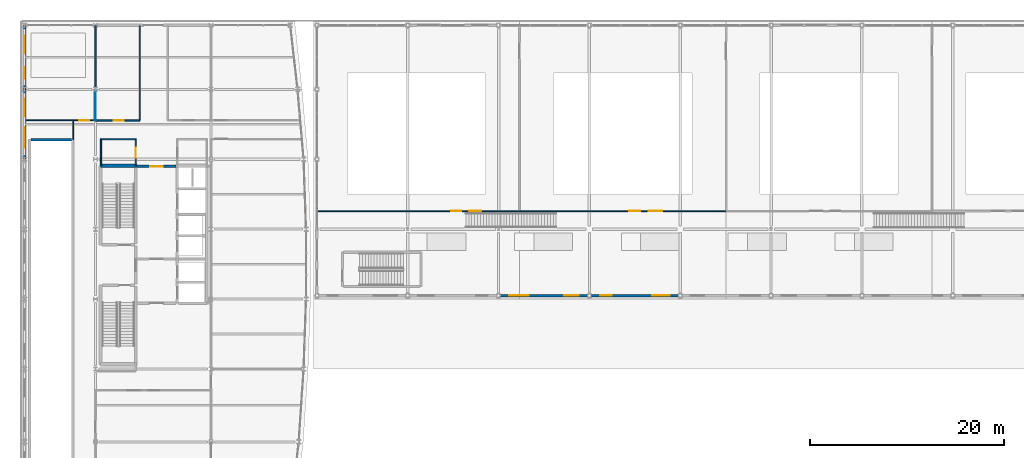
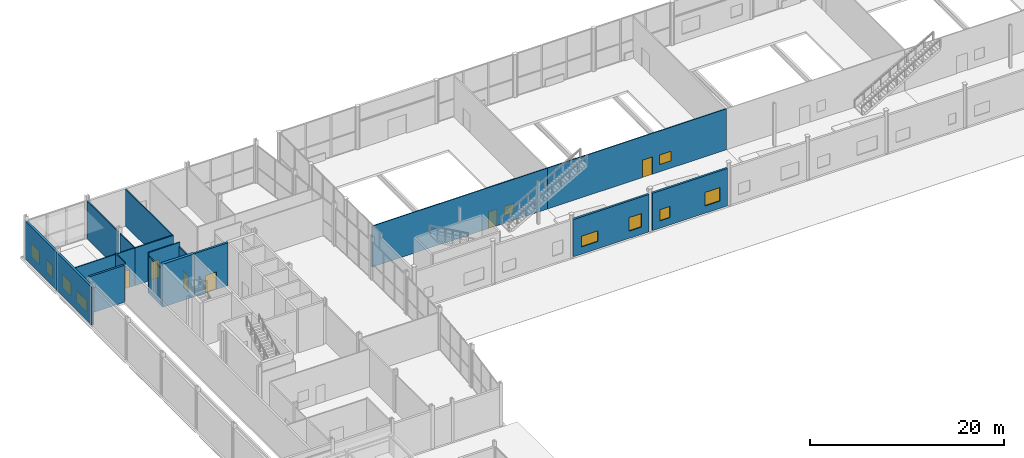
# One storey, part 67 of 83: 18 walls, 10 windows, 6 doors, 16 openings.
"""IFC4 building model written with IfcOpenShell, lengths in metres."""

from ifc_helpers import new_model, si_unit, direction, frame, frame_2d, origin, place, context, subcontext, project, spatial, rectangle, extrude, material, layer, layer_set, type_object, element, fill, save


model = new_model("IFC4")

# Units and contexts
model_context = context("Model", 3, precision=1e-05, world=origin(), true_north=direction((0.0, 1.0)))
body_context = subcontext(model_context, "Body", "Model", "MODEL_VIEW")
ifc_project = project(units=[si_unit("LENGTHUNIT", "METRE"), si_unit("AREAUNIT", "SQUARE_METRE"), si_unit("VOLUMEUNIT", "CUBIC_METRE"), si_unit("PLANEANGLEUNIT", "RADIAN"), si_unit("MASSUNIT", "GRAM", prefix="KILO")], contexts=[model_context])

# Site, building, storey
site_placement = place(None, origin())
site = spatial("IfcSite", under=ifc_project, at=site_placement, CompositionType="ELEMENT")
building_placement = place(site_placement, origin())
building = spatial("IfcBuilding", under=site, at=building_placement, Name="Quillay Park Conservatory", CompositionType="ELEMENT")
storey_placement = place(building_placement, origin())
storey = spatial("IfcBuildingStorey", under=building, at=storey_placement, Name="L00", CompositionType="ELEMENT", Elevation=0.0)

# Wall
ifc_material_1 = material(Name="Steel-Stud Acoustic Gypsum Board Partition", Category="steel")
ifc_layer_1 = layer(ifc_material_1, 0.10009765625)
ifc_layer_set_1 = layer_set([ifc_layer_1], Name="ACOUSTIC GYPSUM PARTITION 100 (Steel-Stud Acoustic Gypsum Board Partition)")
wall_type_1 = type_object("IfcWallType", Name="ACOUSTIC GYPSUM PARTITION 100", PredefinedType="PARTITIONING", material=ifc_layer_set_1)
wall_1_placement = place(storey_placement, frame((7.85009765625, 103.60009765625, 0.0), z_axis=(0.0, 0.0, 1.0), x_axis=(0.0, 1.0, 0.0)))
element("IfcWall", 1, at=wall_1_placement, inside=storey, type_object=wall_type_1, Name="L00 NW Lab East Wall S", PredefinedType="PARTITIONING", context=body_context, shape_type="SweptSolid", body=[
    extrude(rectangle(XDim=3.00830078125, YDim=0.10009765625, at=frame_2d((1.504150390625, 0.0))), origin(), (0.0, 0.0, 1.0), 4.72705078125),
])

# Wall, openings, window, door
ifc_material_2 = material(Name="Steel-Stud Acoustic Gypsum Board Partition", Category="steel")
ifc_layer_2 = layer(ifc_material_2, 0.10498046875)
ifc_layer_set_2 = layer_set([ifc_layer_2], Name="ACOUSTIC GYPSUM PARTITION 105 (Steel-Stud Acoustic Gypsum Board Partition)")
wall_type_2 = type_object("IfcWallType", Name="ACOUSTIC GYPSUM PARTITION 105", PredefinedType="PARTITIONING", material=ifc_layer_set_2)
wall_2_placement = place(storey_placement, frame((51.5, 94.260009765625, 0.0), z_axis=(0.0, 0.0, 1.0), x_axis=(1.0, 0.0, 0.0)))
wall_2 = element("IfcWall", 2, at=wall_2_placement, inside=storey, type_object=wall_type_2, Name="L00 Central Chilean Sclerophyll Conservatory Promenade Wall", PredefinedType="PARTITIONING", context=body_context, shape_type="SweptSolid", body=[
    extrude(rectangle(XDim=21.300048828125, YDim=0.10498046875, at=frame_2d((10.64990234375, 0.0))), origin(), (0.0, 0.0, 1.0), 5.14990234375),
])
opening_1_placement = place(wall_2_placement, frame((11.330078125, 0.0, 0.0)))
opening_1 = element("IfcOpeningElement", 3, at=opening_1_placement, cuts=wall_2, Name="Opening D-RM34", PredefinedType="OPENING", context=body_context, shape_type="SweptSolid", body=[
    extrude(rectangle(XDim=1.139892578125, YDim=2.179931640625, at=frame_2d((0.56982421875, 1.08984375))), frame((0.0, 0.052490234375, 0.0), z_axis=(0.0, -1.0, 0.0), x_axis=(1.0, 0.0, 0.0)), (0.0, 0.0, 1.0), 0.10498046875),
])
opening_2_placement = place(wall_2_placement, frame((13.320068359375, 0.0, 0.919921875)))
opening_2 = element("IfcOpeningElement", 4, at=opening_2_placement, cuts=wall_2, Name="Opening W-IN08", PredefinedType="OPENING", context=body_context, shape_type="SweptSolid", body=[
    extrude(rectangle(XDim=1.39990234375, YDim=1.199951171875, at=frame_2d((0.699951171875, 0.60009765625))), frame((0.0, 0.052490234375, 0.0), z_axis=(0.0, -1.0, 0.0), x_axis=(1.0, 0.0, 0.0)), (0.0, 0.0, 1.0), 0.10498046875),
])
ifc_material_3 = material(Name="Low-E Double Glazing (Laminated Tempered)", Category="glass")
window_type_1 = type_object("IfcWindowType", Name="OPERABLE VENT WINDOW 1400 X1200", PartitioningType="SINGLE_PANEL", PredefinedType="WINDOW", material=ifc_material_3)
window_1_placement = place(opening_2_placement, origin())
window_1 = element("IfcWindow", 5, at=window_1_placement, inside=storey, type_object=window_type_1, Name="L00 Laboratory Vision Panel 008", OverallHeight=1.199951171875, OverallWidth=1.39990234375, PartitioningType="SINGLE_PANEL", PredefinedType="WINDOW", context=body_context, shape_type="SweptSolid", body=[
    extrude(rectangle(XDim=1.39990234375, YDim=1.199951171875, at=frame_2d((0.699951171875, 0.60009765625))), frame((0.0, 0.030029296875, 0.0), z_axis=(0.0, -1.0, 0.0), x_axis=(1.0, 0.0, 0.0)), (0.0, 0.0, 1.0), 0.06005859375),
])
fill(opening_2, window_1)
ifc_material_4 = material(Name="Thermally Broken Anodised Aluminium 6063-T6", Category="aluminium")
door_type_1 = type_object("IfcDoorType", Name="SINGLE SWING DOOR 1140 X2180", OperationType="NOTDEFINED", PredefinedType="DOOR", material=ifc_material_4)
door_1_placement = place(opening_1_placement, origin())
door_1 = element("IfcDoor", 6, at=door_1_placement, inside=storey, type_object=door_type_1, Name="L00 Door to Central Chilean Sclerophyll Conservatory", OperationType="SINGLE_SWING_RIGHT", OverallHeight=2.179931640625, OverallWidth=1.139892578125, PredefinedType="DOOR", context=body_context, shape_type="SweptSolid", body=[
    extrude(rectangle(XDim=1.139892578125, YDim=2.179931640625, at=frame_2d((0.56982421875, 1.08984375))), frame((0.0, 0.02490234375, 0.0), z_axis=(0.0, -1.0, 0.0), x_axis=(1.0, 0.0, 0.0)), (0.0, 0.0, 1.0), 0.050048828125),
])
fill(opening_1, door_1)

# Wall
wall_3_placement = place(storey_placement, frame((5.550048828125, 101.60009765625, 0.0), z_axis=(0.0, 0.0, 1.0), x_axis=(0.0, 1.0, 0.0)))
element("IfcWall", 7, at=wall_3_placement, inside=storey, type_object=wall_type_2, Name="L00 Spine Ramp North Closure", PredefinedType="PARTITIONING", context=body_context, shape_type="SweptSolid", body=[
    extrude(rectangle(XDim=2.0, YDim=0.10498046875, at=frame_2d((1.0, 0.0))), origin(), (0.0, 0.0, 1.0), 4.876953125),
])

# Wall, opening, door
wall_4_placement = place(storey_placement, frame((0.64990234375, 103.60009765625, 0.0), z_axis=(0.0, 0.0, 1.0), x_axis=(1.0, 0.0, 0.0)))
wall_4 = element("IfcWall", 8, at=wall_4_placement, inside=storey, type_object=wall_type_2, Name="L00 NW Lab South Wall", PredefinedType="PARTITIONING", context=body_context, shape_type="SweptSolid", body=[
    extrude(rectangle(XDim=7.2001953125, YDim=0.10498046875, at=frame_2d((3.60009765625, 0.0))), origin(), (0.0, 0.0, 1.0), 4.72705078125),
])
opening_3_placement = place(wall_4_placement, frame((5.550048828125, 0.0, 0.0)))
opening_3 = element("IfcOpeningElement", 9, at=opening_3_placement, cuts=wall_4, Name="Opening D-RM19", PredefinedType="OPENING", context=body_context, shape_type="SweptSolid", body=[
    extrude(rectangle(XDim=1.0, YDim=2.25, at=frame_2d((0.5, 1.125))), frame((0.0, 0.052490234375, 0.0), z_axis=(0.0, -1.0, 0.0), x_axis=(1.0, 0.0, 0.0)), (0.0, 0.0, 1.0), 0.10498046875),
])
ifc_material_5 = material(Name="Thermally Broken Anodised Aluminium 6063-T6", Category="aluminium")
door_type_2 = type_object("IfcDoorType", Name="SINGLE SWING DOOR 1000 X2250", OperationType="NOTDEFINED", PredefinedType="DOOR", material=ifc_material_5)
door_2_placement = place(opening_3_placement, origin())
door_2 = element("IfcDoor", 10, at=door_2_placement, inside=storey, type_object=door_type_2, Name="L00 Door to L00 Cryogenic Vial Preparation Laboratory", OperationType="SINGLE_SWING_LEFT", OverallHeight=2.25, OverallWidth=1.0, PredefinedType="DOOR", context=body_context, shape_type="SweptSolid", body=[
    extrude(rectangle(XDim=1.0, YDim=2.25, at=frame_2d((0.5, 1.125))), frame((0.0, 0.02490234375, 0.0), z_axis=(0.0, -1.0, 0.0), x_axis=(1.0, 0.0, 0.0)), (0.0, 0.0, 1.0), 0.050048828125),
])
fill(opening_3, door_2)

# Wall, openings, window, door
ifc_material_6 = material(Name="Steel-Stud Acoustic Gypsum Board Partition", Category="steel")
ifc_layer_3 = layer(ifc_material_6, 0.110107421875)
ifc_layer_set_3 = layer_set([ifc_layer_3], Name="ACOUSTIC GYPSUM PARTITION 110 (Steel-Stud Acoustic Gypsum Board Partition)")
wall_type_3 = type_object("IfcWallType", Name="ACOUSTIC GYPSUM PARTITION 110", PredefinedType="PARTITIONING", material=ifc_layer_set_3)
wall_5_placement = place(storey_placement, frame((30.64990234375, 94.260009765625, 0.0), z_axis=(0.0, 0.0, 1.0), x_axis=(1.0, 0.0, 0.0)))
wall_5 = element("IfcWall", 11, at=wall_5_placement, inside=storey, type_object=wall_type_3, Name="L00 Temperate Valdivian Fog-Forest Conservatory Promenade Wall", PredefinedType="PARTITIONING", context=body_context, shape_type="SweptSolid", body=[
    extrude(rectangle(XDim=20.85009765625, YDim=0.110107421875, at=frame_2d((10.425048828125, 0.0))), origin(), (0.0, 0.0, 1.0), 5.14990234375),
])
opening_4_placement = place(wall_5_placement, frame((13.840087890625, 0.0, 0.0)))
opening_4 = element("IfcOpeningElement", 12, at=opening_4_placement, cuts=wall_5, Name="Opening D-RM33", PredefinedType="OPENING", context=body_context, shape_type="SweptSolid", body=[
    extrude(rectangle(XDim=1.02001953125, YDim=2.080078125, at=frame_2d((0.510009765625, 1.0400390625))), frame((0.0, 0.05517578125, 0.0), z_axis=(0.0, -1.0, 0.0), x_axis=(1.0, 0.0, 0.0)), (0.0, 0.0, 1.0), 0.110107421875),
])
opening_5_placement = place(wall_5_placement, frame((15.7099609375, 0.0, 0.919921875)))
opening_5 = element("IfcOpeningElement", 13, at=opening_5_placement, cuts=wall_5, Name="Opening W-IN07", PredefinedType="OPENING", context=body_context, shape_type="SweptSolid", body=[
    extrude(rectangle(XDim=1.199951171875, YDim=1.199951171875, at=frame_2d((0.60009765625, 0.60009765625))), frame((0.0, 0.05517578125, 0.0), z_axis=(0.0, -1.0, 0.0), x_axis=(1.0, 0.0, 0.0)), (0.0, 0.0, 1.0), 0.110107421875),
])
ifc_material_7 = material(Name="Low-E Double Glazing (Laminated Tempered)", Category="glass")
window_type_2 = type_object("IfcWindowType", Name="OPERABLE VENT WINDOW 1200 X1200", PartitioningType="SINGLE_PANEL", PredefinedType="WINDOW", material=ifc_material_7)
window_2_placement = place(opening_5_placement, origin())
window_2 = element("IfcWindow", 14, at=window_2_placement, inside=storey, type_object=window_type_2, Name="L00 Laboratory Vision Panel 007", OverallHeight=1.199951171875, OverallWidth=1.199951171875, PartitioningType="SINGLE_PANEL", PredefinedType="WINDOW", context=body_context, shape_type="SweptSolid", body=[
    extrude(rectangle(XDim=1.199951171875, YDim=1.199951171875, at=frame_2d((0.60009765625, 0.60009765625))), frame((0.0, 0.030029296875, 0.0), z_axis=(0.0, -1.0, 0.0), x_axis=(1.0, 0.0, 0.0)), (0.0, 0.0, 1.0), 0.06005859375),
])
fill(opening_5, window_2)
ifc_material_8 = material(Name="Thermally Broken Anodised Aluminium 6063-T6", Category="aluminium")
door_type_3 = type_object("IfcDoorType", Name="SINGLE SWING DOOR 1020 X2080", OperationType="NOTDEFINED", PredefinedType="DOOR", material=ifc_material_8)
door_3_placement = place(opening_4_placement, origin())
door_3 = element("IfcDoor", 15, at=door_3_placement, inside=storey, type_object=door_type_3, Name="L00 Door to Temperate Valdivian Fog-Forest Conservatory", OperationType="SINGLE_SWING_LEFT", OverallHeight=2.080078125, OverallWidth=1.02001953125, PredefinedType="DOOR", context=body_context, shape_type="SweptSolid", body=[
    extrude(rectangle(XDim=1.02001953125, YDim=2.080078125, at=frame_2d((0.510009765625, 1.0400390625))), frame((0.0, 0.02490234375, 0.0), z_axis=(0.0, -1.0, 0.0), x_axis=(1.0, 0.0, 0.0)), (0.0, 0.0, 1.0), 0.050048828125),
])
fill(opening_4, door_3)

# Wall, opening, door
ifc_material_9 = material(Name="Steel-Stud Acoustic Gypsum Board Partition", Category="steel")
ifc_layer_4 = layer(ifc_material_9, 0.1201171875)
ifc_layer_set_4 = layer_set([ifc_layer_4], Name="ACOUSTIC GYPSUM PARTITION 120 (Steel-Stud Acoustic Gypsum Board Partition)")
wall_type_4 = type_object("IfcWallType", Name="ACOUSTIC GYPSUM PARTITION 120", PredefinedType="PARTITIONING", material=ifc_layer_set_4)
wall_6_placement = place(storey_placement, frame((12.0, 101.60009765625, 0.0), z_axis=(0.0, 0.0, 1.0), x_axis=(0.0, -1.0, 0.0)))
wall_6 = element("IfcWall", 16, at=wall_6_placement, inside=storey, type_object=wall_type_4, Name="L00 Accessible WC Door Wall", PredefinedType="PARTITIONING", context=body_context, shape_type="SweptSolid", body=[
    extrude(rectangle(XDim=2.68017578125, YDim=0.1201171875, at=frame_2d((1.340087890625, 0.0))), origin(), (0.0, 0.0, 1.0), 4.65087890625),
])
opening_6_placement = place(wall_6_placement, frame((0.81494140625, 0.0, 0.0)))
opening_6 = element("IfcOpeningElement", 17, at=opening_6_placement, cuts=wall_6, Name="Opening D-RM05", PredefinedType="OPENING", context=body_context, shape_type="SweptSolid", body=[
    extrude(rectangle(XDim=1.050048828125, YDim=2.10009765625, at=frame_2d((0.52490234375, 1.050048828125))), frame((0.0, 0.06005859375, 0.0), z_axis=(0.0, -1.0, 0.0), x_axis=(1.0, 0.0, 0.0)), (0.0, 0.0, 1.0), 0.1201171875),
])
ifc_material_10 = material(Name="Thermally Broken Anodised Aluminium 6063-T6", Category="aluminium")
door_type_4 = type_object("IfcDoorType", Name="SINGLE SWING DOOR 1050 X2100", OperationType="NOTDEFINED", PredefinedType="DOOR", material=ifc_material_10)
door_4_placement = place(opening_6_placement, origin())
door_4 = element("IfcDoor", 18, at=door_4_placement, inside=storey, type_object=door_type_4, Name="L00 Door to L00 Accessible WC", OperationType="SINGLE_SWING_LEFT", OverallHeight=2.10009765625, OverallWidth=1.050048828125, PredefinedType="DOOR", context=body_context, shape_type="SweptSolid", body=[
    extrude(rectangle(XDim=1.050048828125, YDim=2.10009765625, at=frame_2d((0.52490234375, 1.050048828125))), frame((0.0, 0.02490234375, 0.0), z_axis=(0.0, -1.0, 0.0), x_axis=(1.0, 0.0, 0.0)), (0.0, 0.0, 1.0), 0.050048828125),
])
fill(opening_6, door_4)

# Walls
ifc_material_11 = material(Name="Steel-Stud Acoustic Gypsum Board Partition", Category="steel")
ifc_layer_5 = layer(ifc_material_11, 0.125)
ifc_layer_set_5 = layer_set([ifc_layer_5], Name="ACOUSTIC GYPSUM PARTITION 125 (Steel-Stud Acoustic Gypsum Board Partition)")
wall_type_5 = type_object("IfcWallType", Name="ACOUSTIC GYPSUM PARTITION 125", PredefinedType="PARTITIONING", material=ifc_layer_set_5)
wall_7_placement = place(storey_placement, frame((8.360107421875, 101.659912109375, 0.0), z_axis=(0.0, 0.0, 1.0), x_axis=(1.0, 0.0, 0.0)))
element("IfcWall", 19, at=wall_7_placement, inside=storey, type_object=wall_type_5, Name="L00 Accessible WC North Wall", PredefinedType="PARTITIONING", context=body_context, shape_type="SweptSolid", body=[
    extrude(rectangle(XDim=3.699951171875, YDim=0.125, at=frame_2d((1.85009765625, 0.0))), origin(), (0.0, 0.0, 1.0), 5.14990234375),
])
ifc_material_12 = material(Name="Steel-Stud Acoustic Gypsum Board Partition", Category="steel")
ifc_layer_6 = layer(ifc_material_12, 0.1298828125)
ifc_layer_set_6 = layer_set([ifc_layer_6], Name="ACOUSTIC GYPSUM PARTITION 130 (Steel-Stud Acoustic Gypsum Board Partition)")
wall_type_6 = type_object("IfcWallType", Name="ACOUSTIC GYPSUM PARTITION 130", PredefinedType="PARTITIONING", material=ifc_layer_set_6)
wall_8_placement = place(storey_placement, frame((8.419921875, 98.919921875, 0.0), z_axis=(0.0, 0.0, 1.0), x_axis=(0.0, 1.0, 0.0)))
element("IfcWall", 20, at=wall_8_placement, inside=storey, type_object=wall_type_6, Name="L00 Accessible WC West Wall", PredefinedType="PARTITIONING", context=body_context, shape_type="SweptSolid", body=[
    extrude(rectangle(XDim=2.739990234375, YDim=0.1298828125, at=frame_2d((1.3701171875, 0.0))), origin(), (0.0, 0.0, 1.0), 4.65087890625),
])
wall_9_placement = place(storey_placement, frame((12.39990234375, 113.35009765625, 0.0), z_axis=(0.0, 0.0, 1.0), x_axis=(0.0, -1.0, 0.0)))
element("IfcWall", 21, at=wall_9_placement, inside=storey, type_object=wall_type_6, Name="L00 North Exit Passage West Wall", PredefinedType="PARTITIONING", context=body_context, shape_type="SweptSolid", body=[
    extrude(rectangle(XDim=9.75, YDim=0.1298828125, at=frame_2d((4.875, 0.0))), origin(), (0.0, 0.0, 1.0), 4.65087890625),
])

# Wall, opening, door
ifc_material_13 = material(Name="Steel-Stud Acoustic Gypsum Board Partition", Category="steel")
ifc_layer_7 = layer(ifc_material_13, 0.139892578125)
ifc_layer_set_7 = layer_set([ifc_layer_7], Name="ACOUSTIC GYPSUM PARTITION 140 (Steel-Stud Acoustic Gypsum Board Partition)")
wall_type_7 = type_object("IfcWallType", Name="ACOUSTIC GYPSUM PARTITION 140", PredefinedType="PARTITIONING", material=ifc_layer_set_7)
wall_10_placement = place(storey_placement, frame((12.39990234375, 103.60009765625, 0.0), z_axis=(0.0, 0.0, 1.0), x_axis=(-1.0, 0.0, 0.0)))
wall_10 = element("IfcWall", 22, at=wall_10_placement, inside=storey, type_object=wall_type_7, Name="L00 Voucher Studio South Wall", PredefinedType="PARTITIONING", context=body_context, shape_type="SweptSolid", body=[
    extrude(rectangle(XDim=4.5498046875, YDim=0.139892578125, at=frame_2d((2.27490234375, 0.0))), origin(), (0.0, 0.0, 1.0), 4.72705078125),
])
opening_7_placement = place(wall_10_placement, frame((1.6201171875, 0.0, 0.0)))
opening_7 = element("IfcOpeningElement", 23, at=opening_7_placement, cuts=wall_10, Name="Opening D-RM20", PredefinedType="OPENING", context=body_context, shape_type="SweptSolid", body=[
    extrude(rectangle(XDim=1.06005859375, YDim=2.25, at=frame_2d((0.530029296875, 1.125))), frame((0.0, 0.06982421875, 0.0), z_axis=(0.0, -1.0, 0.0), x_axis=(1.0, 0.0, 0.0)), (0.0, 0.0, 1.0), 0.139892578125),
])
ifc_material_14 = material(Name="Thermally Broken Anodised Aluminium 6063-T6", Category="aluminium")
door_type_5 = type_object("IfcDoorType", Name="SINGLE SWING DOOR 1060 X2250", OperationType="NOTDEFINED", PredefinedType="DOOR", material=ifc_material_14)
door_5_placement = place(opening_7_placement, origin())
door_5 = element("IfcDoor", 24, at=door_5_placement, inside=storey, type_object=door_type_5, Name="L00 Door to L00 Field Voucher Registration Studio", OperationType="SINGLE_SWING_RIGHT", OverallHeight=2.25, OverallWidth=1.06005859375, PredefinedType="DOOR", context=body_context, shape_type="SweptSolid", body=[
    extrude(rectangle(XDim=1.06005859375, YDim=2.25, at=frame_2d((0.530029296875, 1.125))), frame((0.0, 0.02490234375, 0.0), z_axis=(0.0, -1.0, 0.0), x_axis=(1.0, 0.0, 0.0)), (0.0, 0.0, 1.0), 0.050048828125),
])
fill(opening_7, door_5)

# Walls
ifc_material_15 = material(Name="Steel-Stud Acoustic Gypsum Board Partition", Category="steel")
ifc_layer_8 = layer(ifc_material_15, 0.14990234375)
ifc_layer_set_8 = layer_set([ifc_layer_8], Name="ACOUSTIC GYPSUM PARTITION 150 (Steel-Stud Acoustic Gypsum Board Partition)")
wall_type_8 = type_object("IfcWallType", Name="ACOUSTIC GYPSUM PARTITION 150", PredefinedType="PARTITIONING", material=ifc_layer_set_8)
wall_11_placement = place(storey_placement, frame((7.85009765625, 106.991455078125, 0.0), z_axis=(0.0, 0.0, 1.0), x_axis=(0.0, 1.0, 0.0)))
element("IfcWall", 25, at=wall_11_placement, inside=storey, type_object=wall_type_8, Name="L00 NW Lab East Wall N", PredefinedType="PARTITIONING", context=body_context, shape_type="SweptSolid", body=[
    extrude(rectangle(XDim=6.358642578125, YDim=0.14990234375, at=frame_2d((3.17919921875, 0.0))), origin(), (0.0, 0.0, 1.0), 4.72705078125),
])
ifc_material_16 = material(Name="Concrete C35/45 (NCh170 Concrete C35/45)", Category="concrete")
ifc_layer_9 = layer(ifc_material_16, 0.22509765625)
ifc_layer_set_9 = layer_set([ifc_layer_9], Name="CORE SHEAR WALL 225 (Concrete C35/45 (NCh170 Concrete C35/45))")
wall_type_9 = type_object("IfcWallType", Name="CORE SHEAR WALL 225", PredefinedType="SHEAR", material=ifc_layer_set_9)
wall_12_placement = place(storey_placement, frame((1.199951171875, 101.612548828125, 0.0), z_axis=(0.0, 0.0, 1.0), x_axis=(1.0, 0.0, 0.0)))
element("IfcWall", 26, at=wall_12_placement, inside=storey, type_object=wall_type_9, Name="L00 Core Shear Wall WL-RMP1-N", PredefinedType="SHEAR", context=body_context, shape_type="SweptSolid", body=[
    extrude(rectangle(XDim=4.199951171875, YDim=0.22509765625, at=frame_2d((2.10009765625, 0.0))), origin(), (0.0, 0.0, 1.0), 4.64990234375),
])

# Wall, opening, door
ifc_material_17 = material(Name="Concrete C40/50 (NCh170 Concrete C40/50)", Category="concrete")
ifc_layer_10 = layer(ifc_material_17, 0.25)
ifc_layer_set_10 = layer_set([ifc_layer_10], Name="CORE SHEAR WALL 250 (Concrete C40/50 (NCh170 Concrete C40/50))")
wall_type_10 = type_object("IfcWallType", Name="CORE SHEAR WALL 250", PredefinedType="SHEAR", material=ifc_layer_set_10)
wall_13_placement = place(storey_placement, frame((12.1201171875, 98.875, 0.0), z_axis=(0.0, 0.0, 1.0), x_axis=(1.0, 0.0, 0.0)))
wall_13 = element("IfcWall", 27, at=wall_13_placement, inside=storey, type_object=wall_type_10, Name="L00 Core Shear Wall WL-PAXN-L00", PredefinedType="SHEAR", context=body_context, shape_type="SweptSolid", body=[
    extrude(rectangle(XDim=4.02978515625, YDim=0.25, at=frame_2d((2.014892578125, 0.0))), origin(), (0.0, 0.0, 1.0), 5.39990234375),
])
opening_8_placement = place(wall_13_placement, frame((1.35009765625, 0.0, 0.0)))
opening_8 = element("IfcOpeningElement", 28, at=opening_8_placement, cuts=wall_13, Name="Opening D-LB02", PredefinedType="OPENING", context=body_context, shape_type="SweptSolid", body=[
    extrude(rectangle(XDim=1.300048828125, YDim=2.199951171875, at=frame_2d((0.64990234375, 1.10009765625))), frame((0.0, 0.125, 0.0), z_axis=(0.0, -1.0, 0.0), x_axis=(1.0, 0.0, 0.0)), (0.0, 0.0, 1.0), 0.25),
])
ifc_material_18 = material(Name="Steel ASTM A572 Grade 50", Category="steel")
door_type_6 = type_object("IfcDoorType", Name="FIRE RATED LOBBY DOOR 1300 X2200", OperationType="NOTDEFINED", PredefinedType="DOOR", material=ifc_material_18)
door_6_placement = place(opening_8_placement, origin())
door_6 = element("IfcDoor", 29, at=door_6_placement, inside=storey, type_object=door_type_6, Name="L00 North Lift Lobby Door", OperationType="SINGLE_SWING_RIGHT", OverallHeight=2.199951171875, OverallWidth=1.300048828125, PredefinedType="DOOR", context=body_context, shape_type="SweptSolid", body=[
    extrude(rectangle(XDim=1.300048828125, YDim=2.199951171875, at=frame_2d((0.64990234375, 1.10009765625))), frame((0.0, 0.02490234375, 0.0), z_axis=(0.0, -1.0, 0.0), x_axis=(1.0, 0.0, 0.0)), (0.0, 0.0, 1.0), 0.050048828125),
])
fill(opening_8, door_6)

# Wall
ifc_material_19 = material(Name="Concrete C40/50 (NCh170 Concrete C40/50)", Category="concrete")
ifc_layer_11 = layer(ifc_material_19, 0.35009765625)
ifc_layer_set_11 = layer_set([ifc_layer_11], Name="CORE SHEAR WALL 350 (Concrete C40/50 (NCh170 Concrete C40/50))")
wall_type_11 = type_object("IfcWallType", Name="CORE SHEAR WALL 350", PredefinedType="SHEAR", material=ifc_layer_set_11)
wall_14_placement = place(storey_placement, frame((8.35009765625, 98.925048828125, 0.0), z_axis=(0.0, 0.0, 1.0), x_axis=(1.0, 0.0, 0.0)))
element("IfcWall", 30, at=wall_14_placement, inside=storey, type_object=wall_type_11, Name="L00 Core Shear Wall WL-TCN-W-L00", PredefinedType="SHEAR", context=body_context, shape_type="SweptSolid", body=[
    extrude(rectangle(XDim=3.77001953125, YDim=0.35009765625, at=frame_2d((1.885009765625, 0.0))), origin(), (0.0, 0.0, 1.0), 5.39990234375),
])

# Wall, openings, windows
ifc_material_20 = material(Name="Glass-Fibre Reinforced Concrete (GRC) Cladding", Category="concrete")
ifc_layer_12 = layer(ifc_material_20, 0.239990234375)
ifc_layer_set_12 = layer_set([ifc_layer_12], Name="EXTERIOR SOLID WALL 240 (Glass-Fibre Reinforced Concrete (GRC) Cladding)")
wall_type_12 = type_object("IfcWallType", Name="EXTERIOR SOLID WALL 240", PredefinedType="SOLIDWALL", material=ifc_layer_set_12)
wall_15_placement = place(storey_placement, frame((58.515380859375, 85.550048828125, 0.0), z_axis=(0.0, 0.0, 1.0), x_axis=(-1.0, 0.0, 0.0)))
wall_15 = element("IfcWall", 31, at=wall_15_placement, inside=storey, type_object=wall_type_12, Name="L00 External Wall WL-EXT-V1S-L00-2", PredefinedType="SOLIDWALL", context=body_context, shape_type="SweptSolid", body=[
    extrude(rectangle(XDim=8.953125, YDim=0.239990234375, at=frame_2d((4.4765625, 0.0))), origin(), (0.0, 0.0, 1.0), 4.699951171875),
])
opening_9_placement = place(wall_15_placement, frame((0.898681640625, 0.0, 0.919921875)))
opening_9 = element("IfcOpeningElement", 32, at=opening_9_placement, cuts=wall_15, Name="Opening W-13", PredefinedType="OPENING", context=body_context, shape_type="SweptSolid", body=[
    extrude(rectangle(XDim=1.5, YDim=1.699951171875, at=frame_2d((0.75, 0.85009765625))), frame((0.0, 0.1201171875, 0.0), z_axis=(0.0, -1.0, 0.0), x_axis=(1.0, 0.0, 0.0)), (0.0, 0.0, 1.0), 0.239990234375),
])
opening_10_placement = place(wall_15_placement, frame((6.054443359375, 0.0, 0.919921875)))
opening_10 = element("IfcOpeningElement", 33, at=opening_10_placement, cuts=wall_15, Name="Opening W-20", PredefinedType="OPENING", context=body_context, shape_type="SweptSolid", body=[
    extrude(rectangle(XDim=2.0, YDim=1.35009765625, at=frame_2d((1.0, 0.675048828125))), frame((0.0, 0.1201171875, 0.0), z_axis=(0.0, -1.0, 0.0), x_axis=(1.0, 0.0, 0.0)), (0.0, 0.0, 1.0), 0.239990234375),
])
ifc_material_21 = material(Name="Low-E Double Glazing (Laminated Tempered)", Category="glass")
window_type_3 = type_object("IfcWindowType", Name="FIXED CASEMENT WINDOW 1500 X1700", PartitioningType="SINGLE_PANEL", PredefinedType="WINDOW", material=ifc_material_21)
window_3_placement = place(opening_9_placement, origin())
window_3 = element("IfcWindow", 34, at=window_3_placement, inside=storey, type_object=window_type_3, Name="L00 Exterior Window 0339", OverallHeight=1.699951171875, OverallWidth=1.5, PartitioningType="SINGLE_PANEL", PredefinedType="WINDOW", context=body_context, shape_type="SweptSolid", body=[
    extrude(rectangle(XDim=1.5, YDim=1.699951171875, at=frame_2d((0.75, 0.85009765625))), frame((0.0, 0.030029296875, 0.0), z_axis=(0.0, -1.0, 0.0), x_axis=(1.0, 0.0, 0.0)), (0.0, 0.0, 1.0), 0.06005859375),
])
fill(opening_9, window_3)
ifc_material_22 = material(Name="Low-E Double Glazing (Laminated Tempered)", Category="glass")
window_type_4 = type_object("IfcWindowType", Name="FIXED CASEMENT WINDOW 2000 X1350", PartitioningType="DOUBLE_PANEL_VERTICAL", PredefinedType="WINDOW", material=ifc_material_22)
window_4_placement = place(opening_10_placement, origin())
window_4 = element("IfcWindow", 35, at=window_4_placement, inside=storey, type_object=window_type_4, Name="L00 Exterior Window 0340", OverallHeight=1.35009765625, OverallWidth=2.0, PartitioningType="DOUBLE_PANEL_VERTICAL", PredefinedType="WINDOW", context=body_context, shape_type="SweptSolid", body=[
    extrude(rectangle(XDim=2.0, YDim=1.35009765625, at=frame_2d((1.0, 0.675048828125))), frame((0.0, 0.030029296875, 0.0), z_axis=(0.0, -1.0, 0.0), x_axis=(1.0, 0.0, 0.0)), (0.0, 0.0, 1.0), 0.06005859375),
])
fill(opening_10, window_4)

wall_16_placement = place(storey_placement, frame((67.87109375, 85.550048828125, 0.0), z_axis=(0.0, 0.0, 1.0), x_axis=(-1.0, 0.0, 0.0)))
wall_16 = element("IfcWall", 36, at=wall_16_placement, inside=storey, type_object=wall_type_12, Name="L00 External Wall WL-EXT-V1S-L00-3", PredefinedType="SOLIDWALL", context=body_context, shape_type="SweptSolid", body=[
    extrude(rectangle(XDim=8.953125, YDim=0.239990234375, at=frame_2d((4.4765625, 0.0))), origin(), (0.0, 0.0, 1.0), 4.699951171875),
])
opening_11_placement = place(wall_16_placement, frame((0.898681640625, 0.0, 0.919921875)))
opening_11 = element("IfcOpeningElement", 37, at=opening_11_placement, cuts=wall_16, Name="Opening W-14", PredefinedType="OPENING", context=body_context, shape_type="SweptSolid", body=[
    extrude(rectangle(XDim=1.800048828125, YDim=1.699951171875, at=frame_2d((0.89990234375, 0.85009765625))), frame((0.0, 0.1201171875, 0.0), z_axis=(0.0, -1.0, 0.0), x_axis=(1.0, 0.0, 0.0)), (0.0, 0.0, 1.0), 0.239990234375),
])
opening_12_placement = place(wall_16_placement, frame((6.854248046875, 0.0, 0.919921875)))
opening_12 = element("IfcOpeningElement", 38, at=opening_12_placement, cuts=wall_16, Name="Opening W-01", PredefinedType="OPENING", context=body_context, shape_type="SweptSolid", body=[
    extrude(rectangle(XDim=1.199951171875, YDim=1.39990234375, at=frame_2d((0.60009765625, 0.699951171875))), frame((0.0, 0.1201171875, 0.0), z_axis=(0.0, -1.0, 0.0), x_axis=(1.0, 0.0, 0.0)), (0.0, 0.0, 1.0), 0.239990234375),
])
ifc_material_23 = material(Name="Low-E Double Glazing (Laminated Tempered)", Category="glass")
window_type_5 = type_object("IfcWindowType", Name="FIXED CASEMENT WINDOW 1200 X1400", PartitioningType="SINGLE_PANEL", PredefinedType="WINDOW", material=ifc_material_23)
window_5_placement = place(opening_12_placement, origin())
window_5 = element("IfcWindow", 39, at=window_5_placement, inside=storey, type_object=window_type_5, Name="L00 Exterior Window 0342", OverallHeight=1.39990234375, OverallWidth=1.199951171875, PartitioningType="SINGLE_PANEL", PredefinedType="WINDOW", context=body_context, shape_type="SweptSolid", body=[
    extrude(rectangle(XDim=1.199951171875, YDim=1.39990234375, at=frame_2d((0.60009765625, 0.699951171875))), frame((0.0, 0.030029296875, 0.0), z_axis=(0.0, -1.0, 0.0), x_axis=(1.0, 0.0, 0.0)), (0.0, 0.0, 1.0), 0.06005859375),
])
fill(opening_12, window_5)
ifc_material_24 = material(Name="Low-E Double Glazing (Laminated Tempered)", Category="glass")
window_type_6 = type_object("IfcWindowType", Name="FIXED CASEMENT WINDOW 1800 X1700", PartitioningType="DOUBLE_PANEL_VERTICAL", PredefinedType="WINDOW", material=ifc_material_24)
window_6_placement = place(opening_11_placement, origin())
window_6 = element("IfcWindow", 40, at=window_6_placement, inside=storey, type_object=window_type_6, Name="L00 Exterior Window 0341", OverallHeight=1.699951171875, OverallWidth=1.800048828125, PartitioningType="DOUBLE_PANEL_VERTICAL", PredefinedType="WINDOW", context=body_context, shape_type="SweptSolid", body=[
    extrude(rectangle(XDim=1.800048828125, YDim=1.699951171875, at=frame_2d((0.89990234375, 0.85009765625))), frame((0.0, 0.030029296875, 0.0), z_axis=(0.0, -1.0, 0.0), x_axis=(1.0, 0.0, 0.0)), (0.0, 0.0, 1.0), 0.06005859375),
])
fill(opening_11, window_6)

ifc_material_25 = material(Name="Glass-Fibre Reinforced Concrete (GRC) Cladding", Category="concrete")
ifc_layer_13 = layer(ifc_material_25, 0.260009765625)
ifc_layer_set_13 = layer_set([ifc_layer_13], Name="EXTERIOR SOLID WALL 260 (Glass-Fibre Reinforced Concrete (GRC) Cladding)")
wall_type_13 = type_object("IfcWallType", Name="EXTERIOR SOLID WALL 260", PredefinedType="SOLIDWALL", material=ifc_layer_set_13)
wall_17_placement = place(storey_placement, frame((0.550048828125, 99.60009765625, 0.0), z_axis=(0.0, 0.0, 1.0), x_axis=(0.0, 1.0, 0.0)))
wall_17 = element("IfcWall", 41, at=wall_17_placement, inside=storey, type_object=wall_type_13, Name="L00 External Wall WL-EXT-V4W-L00-5", PredefinedType="SOLIDWALL", context=body_context, shape_type="SweptSolid", body=[
    extrude(rectangle(XDim=7.199951171875, YDim=0.260009765625, at=frame_2d((3.60009765625, 0.0))), origin(), (0.0, 0.0, 1.0), 4.777099609375),
])
opening_13_placement = place(wall_17_placement, frame((1.205078125, 0.0, 0.919921875)))
opening_13 = element("IfcOpeningElement", 42, at=opening_13_placement, cuts=wall_17, Name="Opening W-06", PredefinedType="OPENING", context=body_context, shape_type="SweptSolid", body=[
    extrude(rectangle(XDim=2.10009765625, YDim=1.39990234375, at=frame_2d((1.050048828125, 0.699951171875))), frame((0.0, 0.1298828125, 0.0), z_axis=(0.0, -1.0, 0.0), x_axis=(1.0, 0.0, 0.0)), (0.0, 0.0, 1.0), 0.260009765625),
])
opening_14_placement = place(wall_17_placement, frame((4.445068359375, 0.0, 0.919921875)))
opening_14 = element("IfcOpeningElement", 43, at=opening_14_placement, cuts=wall_17, Name="Opening W-14", PredefinedType="OPENING", context=body_context, shape_type="SweptSolid", body=[
    extrude(rectangle(XDim=1.800048828125, YDim=1.699951171875, at=frame_2d((0.89990234375, 0.85009765625))), frame((0.0, 0.1298828125, 0.0), z_axis=(0.0, -1.0, 0.0), x_axis=(1.0, 0.0, 0.0)), (0.0, 0.0, 1.0), 0.260009765625),
])
window_7_placement = place(opening_14_placement, origin())
window_7 = element("IfcWindow", 44, at=window_7_placement, inside=storey, type_object=window_type_6, Name="L00 Exterior Window 0082", OverallHeight=1.699951171875, OverallWidth=1.800048828125, PartitioningType="DOUBLE_PANEL_VERTICAL", PredefinedType="WINDOW", context=body_context, shape_type="SweptSolid", body=[
    extrude(rectangle(XDim=1.800048828125, YDim=1.699951171875, at=frame_2d((0.89990234375, 0.85009765625))), frame((0.0, 0.030029296875, 0.0), z_axis=(0.0, -1.0, 0.0), x_axis=(1.0, 0.0, 0.0)), (0.0, 0.0, 1.0), 0.06005859375),
])
fill(opening_14, window_7)
ifc_material_26 = material(Name="Low-E Double Glazing (Laminated Tempered)", Category="glass")
window_type_7 = type_object("IfcWindowType", Name="FIXED CASEMENT WINDOW 2100 X1400", PartitioningType="DOUBLE_PANEL_VERTICAL", PredefinedType="WINDOW", material=ifc_material_26)
window_8_placement = place(opening_13_placement, origin())
window_8 = element("IfcWindow", 45, at=window_8_placement, inside=storey, type_object=window_type_7, Name="L00 Exterior Window 0081", OverallHeight=1.39990234375, OverallWidth=2.10009765625, PartitioningType="DOUBLE_PANEL_VERTICAL", PredefinedType="WINDOW", context=body_context, shape_type="SweptSolid", body=[
    extrude(rectangle(XDim=2.10009765625, YDim=1.39990234375, at=frame_2d((1.050048828125, 0.699951171875))), frame((0.0, 0.030029296875, 0.0), z_axis=(0.0, -1.0, 0.0), x_axis=(1.0, 0.0, 0.0)), (0.0, 0.0, 1.0), 0.06005859375),
])
fill(opening_13, window_8)

wall_18_placement = place(storey_placement, frame((0.550048828125, 106.800048828125, 0.0), z_axis=(0.0, 0.0, 1.0), x_axis=(0.0, 1.0, 0.0)))
wall_18 = element("IfcWall", 46, at=wall_18_placement, inside=storey, type_object=wall_type_13, Name="L00 External Wall WL-EXT-V4W-L00-6", PredefinedType="SOLIDWALL", context=body_context, shape_type="SweptSolid", body=[
    extrude(rectangle(XDim=6.599853515625, YDim=0.260009765625, at=frame_2d((3.2998046875, 0.0))), origin(), (0.0, 0.0, 1.0), 4.777099609375),
])
opening_15_placement = place(wall_18_placement, frame((1.070068359375, 0.0, 0.919921875)))
opening_15 = element("IfcOpeningElement", 47, at=opening_15_placement, cuts=wall_18, Name="Opening W-07", PredefinedType="OPENING", context=body_context, shape_type="SweptSolid", body=[
    extrude(rectangle(XDim=1.199951171875, YDim=1.550048828125, at=frame_2d((0.60009765625, 0.77490234375))), frame((0.0, 0.1298828125, 0.0), z_axis=(0.0, -1.0, 0.0), x_axis=(1.0, 0.0, 0.0)), (0.0, 0.0, 1.0), 0.260009765625),
])
opening_16_placement = place(wall_18_placement, frame((3.72998046875, 0.0, 0.919921875)))
opening_16 = element("IfcOpeningElement", 48, at=opening_16_placement, cuts=wall_18, Name="Opening W-14", PredefinedType="OPENING", context=body_context, shape_type="SweptSolid", body=[
    extrude(rectangle(XDim=1.800048828125, YDim=1.699951171875, at=frame_2d((0.89990234375, 0.85009765625))), frame((0.0, 0.1298828125, 0.0), z_axis=(0.0, -1.0, 0.0), x_axis=(1.0, 0.0, 0.0)), (0.0, 0.0, 1.0), 0.260009765625),
])
ifc_material_27 = material(Name="Low-E Double Glazing (Laminated Tempered)", Category="glass")
window_type_8 = type_object("IfcWindowType", Name="FIXED CASEMENT WINDOW 1200 X1550", PartitioningType="SINGLE_PANEL", PredefinedType="WINDOW", material=ifc_material_27)
window_9_placement = place(opening_15_placement, origin())
window_9 = element("IfcWindow", 49, at=window_9_placement, inside=storey, type_object=window_type_8, Name="L00 Exterior Window 0083", OverallHeight=1.550048828125, OverallWidth=1.199951171875, PartitioningType="SINGLE_PANEL", PredefinedType="WINDOW", context=body_context, shape_type="SweptSolid", body=[
    extrude(rectangle(XDim=1.199951171875, YDim=1.550048828125, at=frame_2d((0.60009765625, 0.77490234375))), frame((0.0, 0.030029296875, 0.0), z_axis=(0.0, -1.0, 0.0), x_axis=(1.0, 0.0, 0.0)), (0.0, 0.0, 1.0), 0.06005859375),
])
fill(opening_15, window_9)
window_10_placement = place(opening_16_placement, origin())
window_10 = element("IfcWindow", 50, at=window_10_placement, inside=storey, type_object=window_type_6, Name="L00 Exterior Window 0084", OverallHeight=1.699951171875, OverallWidth=1.800048828125, PartitioningType="DOUBLE_PANEL_VERTICAL", PredefinedType="WINDOW", context=body_context, shape_type="SweptSolid", body=[
    extrude(rectangle(XDim=1.800048828125, YDim=1.699951171875, at=frame_2d((0.89990234375, 0.85009765625))), frame((0.0, 0.030029296875, 0.0), z_axis=(0.0, -1.0, 0.0), x_axis=(1.0, 0.0, 0.0)), (0.0, 0.0, 1.0), 0.06005859375),
])
fill(opening_16, window_10)

save(model, "model.ifc")
